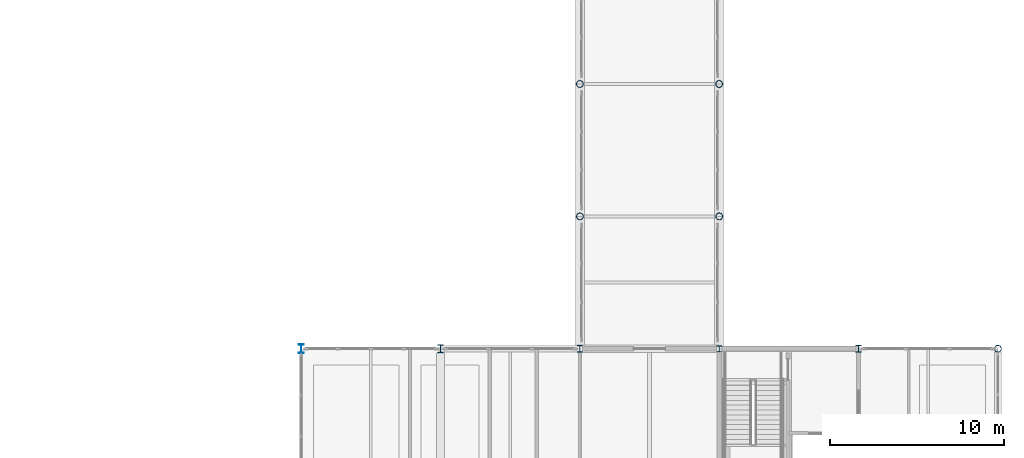
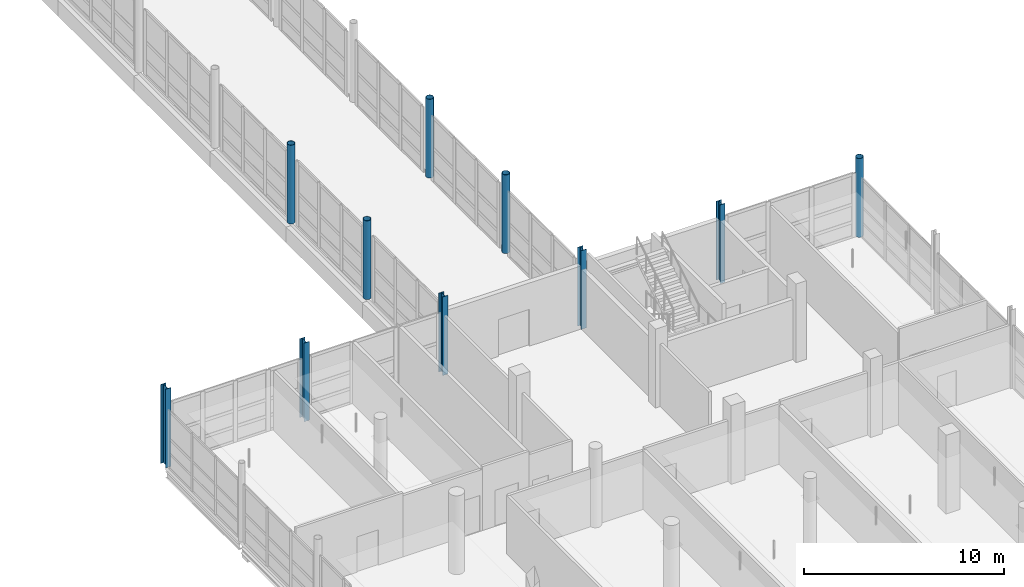
# One storey, part 8 of 147: 10 columns.
"""IFC4 building model written with IfcOpenShell, lengths in metres."""

import ifcopenshell
import ifcopenshell.guid

model = None  # the IFC model being written
_history = None  # IfcOwnerHistory: only IFC2X3 demands one
_inside = {}  # id of a spatial element -> (the spatial element, [elements in it])
_under = {}  # id of a project, library or spatial element -> (it, [spatial elements below it])
_declared = {}  # id of a project -> (the project, [libraries it declares])
_typed = {}  # id of a type object -> (the type object, [elements of that type])
_made_of = {}  # id of a material, layer set ... -> (it, [elements and type objects made of it])


def new_model(schema):
    """Start an empty IFC model of exactly this schema.

    Asked for "IFC4X3", IfcOpenShell would pick the latest addendum, in which some entities
    have other attributes; the version numbers below select the first issue.
    IFC2X3 requires an IfcOwnerHistory on every rooted entity: one is made here for all.
    """
    global model, _history
    if schema == "IFC4X3":
        model = ifcopenshell.file(schema_version=(4, 3, 0, 0))
    else:
        model = ifcopenshell.file(schema=schema)
    _inside.clear()
    _under.clear()
    _declared.clear()
    _typed.clear()
    _made_of.clear()
    _history = None
    if model.schema == "IFC2X3":
        org = make("IfcOrganization", Name="unknown")
        user = make(
            "IfcPersonAndOrganization",
            ThePerson=make("IfcPerson", FamilyName="unknown"),
            TheOrganization=org,
        )
        app = make(
            "IfcApplication",
            ApplicationDeveloper=org,
            Version="unknown",
            ApplicationFullName="unknown",
            ApplicationIdentifier="unknown",
        )
        _history = make(
            "IfcOwnerHistory",
            OwningUser=user,
            OwningApplication=app,
            ChangeAction="ADDED",
            CreationDate=0,
        )
    return model


def make(cls, **values):
    """One entity of the class cls with the attributes given. An attribute that is None is left unset."""
    return model.create_entity(
        cls, **{name: value for name, value in values.items() if value is not None}
    )


def rooted(cls, **values):
    """An entity with a GlobalId (a new one), such as an element, a storey or a relation."""
    return make(cls, GlobalId=ifcopenshell.guid.new(), OwnerHistory=_history, **values)


def si_unit(unit_type, name, prefix=None):
    """IfcSIUnit, for example si_unit("LENGTHUNIT", "METRE", prefix="MILLI")."""
    return make("IfcSIUnit", UnitType=unit_type, Prefix=prefix, Name=name)


def assignment(units):
    """IfcUnitAssignment: the units of a project."""
    return None if units is None else make("IfcUnitAssignment", Units=units)


def point(xyz):
    """IfcCartesianPoint."""
    return None if xyz is None else make("IfcCartesianPoint", Coordinates=xyz)


def direction(xyz):
    """IfcDirection."""
    return None if xyz is None else make("IfcDirection", DirectionRatios=xyz)


def frame(location, z_axis=None, x_axis=None):
    """IfcAxis2Placement3D, a coordinate frame: its origin and axes. An axis left out is left unset."""
    return make(
        "IfcAxis2Placement3D",
        Location=point(location),
        Axis=direction(z_axis),
        RefDirection=direction(x_axis),
    )


def frame_2d(location, x_axis=None):
    """IfcAxis2Placement2D, a coordinate frame in the plane: its origin and x axis."""
    return make(
        "IfcAxis2Placement2D", Location=point(location), RefDirection=direction(x_axis)
    )


def origin():
    """The frame at (0, 0, 0) with its axes left unset."""
    return frame((0.0, 0.0, 0.0))


def origin_2d():
    """The frame at (0, 0) in the plane with its x axis left unset."""
    return frame_2d((0.0, 0.0))


def place(relative_to, where):
    """IfcLocalPlacement: puts the frame where relative to a parent placement (None: the world)."""
    return make(
        "IfcLocalPlacement", PlacementRelTo=relative_to, RelativePlacement=where
    )


def context(
    kind, dimensions, precision=None, world=None, true_north=None, identifier=None
):
    """IfcGeometricRepresentationContext, for example the 3D "Model" context."""
    return make(
        "IfcGeometricRepresentationContext",
        ContextIdentifier=identifier,
        ContextType=kind,
        CoordinateSpaceDimension=dimensions,
        Precision=precision,
        WorldCoordinateSystem=world,
        TrueNorth=true_north,
    )


def subcontext(parent, identifier, kind, view, scale=None):
    """IfcGeometricRepresentationSubContext, for example "Body" below "Model"."""
    return make(
        "IfcGeometricRepresentationSubContext",
        ContextIdentifier=identifier,
        ContextType=kind,
        ParentContext=parent,
        TargetScale=scale,
        TargetView=view,
    )


def project(units=None, contexts=None):
    """IfcProject with its units and contexts."""
    return rooted(
        "IfcProject",
        Name="project",
        RepresentationContexts=contexts,
        UnitsInContext=assignment(units),
    )


def spatial(cls, under=None, at=None, **own):
    """A site, building, storey or space (cls), placed at a placement, below another one or the project."""
    s = rooted(cls, ObjectPlacement=at, **own)
    if under is not None:
        _under.setdefault(under.id(), (under, []))[1].append(s)
    return s


def profile(cls, at=None, kind="AREA", **sizes):
    """A parametric profile (cls). Its sizes go by their IFC names, for example OverallWidth=200.0."""
    return make(cls, ProfileType=kind, Position=at, **sizes)


def hollow_circle(**sizes):
    """IfcCircleHollowProfileDef."""
    return profile("IfcCircleHollowProfileDef", **sizes)


def i_section(**sizes):
    """IfcIShapeProfileDef."""
    return profile("IfcIShapeProfileDef", **sizes)


def extrude(swept, where, along, depth):
    """IfcExtrudedAreaSolid: the profile swept, set in the frame where, extruded along a direction by depth."""
    return make(
        "IfcExtrudedAreaSolid",
        SweptArea=swept,
        Position=where,
        ExtrudedDirection=direction(along),
        Depth=depth,
    )


def shape(context_of_items, identifier, shape_type, items):
    """IfcShapeRepresentation: the items that make up one representation, for example the "Body"."""
    return make(
        "IfcShapeRepresentation",
        ContextOfItems=context_of_items,
        RepresentationIdentifier=identifier,
        RepresentationType=shape_type,
        Items=items,
    )


def material(Name=None, Category=None):
    """IfcMaterial."""
    return make("IfcMaterial", Name=Name, Category=Category)


def material_profile(
    of_material, cross_section, Name=None, Category=None, Priority=None
):
    """IfcMaterialProfile: a cross section and its material."""
    return make(
        "IfcMaterialProfile",
        Name=Name,
        Material=of_material,
        Profile=cross_section,
        Priority=Priority,
        Category=Category,
    )


def profile_set(profiles, Name=None, composite=None):
    """IfcMaterialProfileSet."""
    return make(
        "IfcMaterialProfileSet",
        Name=Name,
        MaterialProfiles=profiles,
        CompositeProfile=composite,
    )


def made_of(thing, what):
    """Note that an element or type object is made of a material, layer set ...; save() writes the relation."""
    if what is not None:
        _made_of.setdefault(what.id(), (what, []))[1].append(thing)
    return thing


def type_object(cls, material=None, **own):
    """A type object (cls), such as IfcWallType, which elements share."""
    return made_of(rooted(cls, **own), material)


def element(
    cls,
    number,
    at=None,
    inside=None,
    cuts=None,
    type_object=None,
    material=None,
    context=None,
    identifier="Body",
    shape_type=None,
    held_by="IfcProductDefinitionShape",
    body=None,
    shapes=None,
    **own,
):
    """One element of the class cls, such as IfcWall. Its Tag is "e" and its number.

    at: its placement. inside: the storey or other place that contains it. cuts: it is an
    opening in that element (IfcRelVoidsElement). A single representation is given by context,
    identifier, shape_type and body (its items); several are given by shapes. held_by: the class
    of the entity that holds the representations. save() writes the other relations.
    """
    e = rooted(cls, Tag="e%d" % number, ObjectPlacement=at, **own)
    if body is not None:
        shapes = [shape(context, identifier, shape_type, body)]
    if shapes is not None:
        e.Representation = make(held_by, Representations=shapes)
    if inside is not None:
        _inside.setdefault(inside.id(), (inside, []))[1].append(e)
    if cuts is not None:
        rooted(
            "IfcRelVoidsElement", RelatingBuildingElement=cuts, RelatedOpeningElement=e
        )
    if type_object is not None:
        _typed.setdefault(type_object.id(), (type_object, []))[1].append(e)
    return made_of(e, material)


def aggregate(whole, parts):
    """IfcRelAggregates: a whole, such as a stair, and the parts it consists of."""
    return rooted("IfcRelAggregates", RelatingObject=whole, RelatedObjects=parts)


def save(model, path):
    """Write the relations noted so far, then the file.

    IfcRelAggregates (storeys below a building ...), IfcRelContainedInSpatialStructure (elements
    in a storey), IfcRelDefinesByType, IfcRelAssociatesMaterial and IfcRelDeclares: one each for
    every whole, place, type object, material and project.
    """
    for whole, parts in _under.values():
        aggregate(whole, parts)
    for where, things in _inside.values():
        rooted(
            "IfcRelContainedInSpatialStructure",
            RelatedElements=things,
            RelatingStructure=where,
        )
    for kind, things in _typed.values():
        rooted("IfcRelDefinesByType", RelatedObjects=things, RelatingType=kind)
    for what, things in _made_of.values():
        rooted("IfcRelAssociatesMaterial", RelatedObjects=things, RelatingMaterial=what)
    for by, libraries in _declared.values():
        rooted("IfcRelDeclares", RelatingContext=by, RelatedDefinitions=libraries)
    model.write(path)


model = new_model("IFC4")

# Units and contexts
model_context = context("Model", 3, precision=1e-05, world=origin(), true_north=direction((0.0, 1.0)))
body_context = subcontext(model_context, "Body", "Model", "MODEL_VIEW")
ifc_project = project(units=[si_unit("LENGTHUNIT", "METRE"), si_unit("AREAUNIT", "SQUARE_METRE"), si_unit("VOLUMEUNIT", "CUBIC_METRE"), si_unit("PLANEANGLEUNIT", "RADIAN"), si_unit("MASSUNIT", "GRAM", prefix="KILO")], contexts=[model_context])

# Site, building, storey
site_placement = place(None, origin())
site = spatial("IfcSite", under=ifc_project, at=site_placement, CompositionType="ELEMENT")
building_placement = place(site_placement, origin())
building = spatial("IfcBuilding", under=site, at=building_placement, Name="Khelvaren Railside Concert Hall", CompositionType="ELEMENT")
storey_placement = place(building_placement, frame((0.0, 0.0, 5.39990234375)))
storey = spatial("IfcBuildingStorey", under=building, at=storey_placement, Name="L01", CompositionType="ELEMENT", Elevation=5.39990234375)

# Columns
ifc_material = material(Name="Steel S355", Category="steel")
ifc_material_profile_1 = material_profile(ifc_material, i_section(OverallWidth=0.300048828125, OverallDepth=0.360107421875, WebThickness=0.012451171875, FlangeThickness=0.0224609375, FilletRadius=0.027099609375, at=origin_2d()), Name="HEB 360")
ifc_profile_set_1 = profile_set([ifc_material_profile_1], Name="Steel S355")
column_type_1 = type_object("IfcColumnType", Name="COL12", PredefinedType="COLUMN", material=ifc_profile_set_1)
column_1_placement = place(storey_placement, frame((168.0, 38.0, 0.0), z_axis=(0.0, 0.0, 1.0), x_axis=(1.0, 0.0, 0.0)))
element("IfcColumn", 1, at=column_1_placement, inside=storey, type_object=column_type_1, Name="V2 L01 Column (168.0,38.0)", PredefinedType="COLUMN", context=body_context, shape_type="SweptSolid", body=[
    extrude(i_section(OverallWidth=0.300048828125, OverallDepth=0.360107421875, WebThickness=0.012451171875, FlangeThickness=0.0224609375, FilletRadius=0.027099609375, at=origin_2d()), origin(), (0.0, 0.0, 1.0), 4.800048828125),
])
ifc_material_profile_2 = material_profile(ifc_material, i_section(OverallWidth=0.300048828125, OverallDepth=0.5, WebThickness=0.014404296875, FlangeThickness=0.028076171875, FilletRadius=0.027099609375, at=origin_2d()), Name="HEB 500")
ifc_profile_set_2 = profile_set([ifc_material_profile_2], Name="Steel S355")
column_type_2 = type_object("IfcColumnType", Name="COL15", PredefinedType="COLUMN", material=ifc_profile_set_2)
column_2_placement = place(storey_placement, frame((144.0, 38.0, 0.0), z_axis=(0.0, 0.0, 1.0), x_axis=(1.0, 0.0, 0.0)))
element("IfcColumn", 2, at=column_2_placement, inside=storey, type_object=column_type_2, Name="V2 L01 Column (144.0,38.0)", PredefinedType="COLUMN", context=body_context, shape_type="SweptSolid", body=[
    extrude(i_section(OverallWidth=0.300048828125, OverallDepth=0.5, WebThickness=0.014404296875, FlangeThickness=0.028076171875, FilletRadius=0.027099609375, at=origin_2d()), origin(), (0.0, 0.0, 1.0), 4.800048828125),
])
ifc_material_profile_3 = material_profile(ifc_material, i_section(OverallWidth=0.300048828125, OverallDepth=0.389892578125, WebThickness=0.010986328125, FlangeThickness=0.01904296875, FilletRadius=0.027099609375, at=origin_2d()), Name="HEA 400")
ifc_profile_set_3 = profile_set([ifc_material_profile_3], Name="Steel S355")
column_type_3 = type_object("IfcColumnType", Name="COL23", PredefinedType="COLUMN", material=ifc_profile_set_3)
column_3_placement = place(storey_placement, frame((176.0, 38.0, 0.0), z_axis=(0.0, 0.0, 1.0), x_axis=(1.0, 0.0, 0.0)))
element("IfcColumn", 3, at=column_3_placement, inside=storey, type_object=column_type_3, Name="V2 L01 Column (176.0,38.0)", PredefinedType="COLUMN", context=body_context, shape_type="SweptSolid", body=[
    extrude(i_section(OverallWidth=0.300048828125, OverallDepth=0.389892578125, WebThickness=0.010986328125, FlangeThickness=0.01904296875, FilletRadius=0.027099609375, at=origin_2d()), origin(), (0.0, 0.0, 1.0), 4.800048828125),
])
ifc_material_profile_4 = material_profile(ifc_material, hollow_circle(Radius=0.203125, WallThickness=0.02001953125, at=origin_2d()), Name="CHS 406.4x20")
ifc_profile_set_4 = profile_set([ifc_material_profile_4], Name="Steel S355")
column_type_4 = type_object("IfcColumnType", Name="COL27", PredefinedType="COLUMN", material=ifc_profile_set_4)
for number, where, z_axis, x_axis, name in (
    (4, (184.0, 38.0, 0.0), (0.0, 0.0, 1.0), (1.0, 0.0, 0.0), "V2 L01 Column (184.0,38.0)"),
    (5, (160.0, 45.60009765625, 0.0), (0.0, 0.0, 1.0), (1.0, 0.0, 0.0), "LB4 L01 Bridge Pier (160,45.6)"),
    (6, (160.0, 53.199951171875, 0.0), (0.0, 0.0, 1.0), (1.0, 0.0, 0.0), "LB4 L01 Bridge Pier (160,53.2)"),
    (7, (168.0, 45.60009765625, 0.0), (0.0, 0.0, 1.0), (1.0, 0.0, 0.0), "LB4 L01 Bridge Pier (168,45.6)"),
    (8, (168.0, 53.199951171875, 0.0), (0.0, 0.0, 1.0), (1.0, 0.0, 0.0), "LB4 L01 Bridge Pier (168,53.2)"),
):
    element("IfcColumn", number, at=place(storey_placement, frame(where, z_axis=z_axis, x_axis=x_axis)), inside=storey, type_object=column_type_4, Name=name, PredefinedType="COLUMN", context=body_context, shape_type="SweptSolid", body=[
        extrude(hollow_circle(Radius=0.203125, WallThickness=0.02001953125, at=origin_2d()), origin(), (0.0, 0.0, 1.0), 4.800048828125),
    ])
ifc_material_profile_5 = material_profile(ifc_material, i_section(OverallWidth=0.300048828125, OverallDepth=0.449951171875, WebThickness=0.013916015625, FlangeThickness=0.02587890625, FilletRadius=0.027099609375, at=origin_2d()), Name="HEB 450")
ifc_profile_set_5 = profile_set([ifc_material_profile_5], Name="Steel S355")
column_type_5 = type_object("IfcColumnType", Name="COL77", PredefinedType="COLUMN", material=ifc_profile_set_5)
column_4_placement = place(storey_placement, frame((152.0, 38.0, 0.0), z_axis=(0.0, 0.0, 1.0), x_axis=(1.0, 0.0, 0.0)))
element("IfcColumn", 9, at=column_4_placement, inside=storey, type_object=column_type_5, Name="V2 L01 Column (152.0,38.0)", PredefinedType="COLUMN", context=body_context, shape_type="SweptSolid", body=[
    extrude(i_section(OverallWidth=0.300048828125, OverallDepth=0.449951171875, WebThickness=0.013916015625, FlangeThickness=0.02587890625, FilletRadius=0.027099609375, at=origin_2d()), origin(), (0.0, 0.0, 1.0), 4.800048828125),
])
ifc_material_profile_6 = material_profile(ifc_material, i_section(OverallWidth=0.300048828125, OverallDepth=0.39990234375, WebThickness=0.013427734375, FlangeThickness=0.02392578125, FilletRadius=0.027099609375, at=origin_2d()), Name="HEB 400")
ifc_profile_set_6 = profile_set([ifc_material_profile_6], Name="Steel S355")
column_type_6 = type_object("IfcColumnType", Name="COL88", PredefinedType="COLUMN", material=ifc_profile_set_6)
column_5_placement = place(storey_placement, frame((160.0, 38.0, 0.0), z_axis=(0.0, 0.0, 1.0), x_axis=(1.0, 0.0, 0.0)))
element("IfcColumn", 10, at=column_5_placement, inside=storey, type_object=column_type_6, Name="V2 L01 Column (160.0,38.0)", PredefinedType="COLUMN", context=body_context, shape_type="SweptSolid", body=[
    extrude(i_section(OverallWidth=0.300048828125, OverallDepth=0.39990234375, WebThickness=0.013427734375, FlangeThickness=0.02392578125, FilletRadius=0.027099609375, at=origin_2d()), origin(), (0.0, 0.0, 1.0), 4.800048828125),
])

save(model, "model.ifc")
